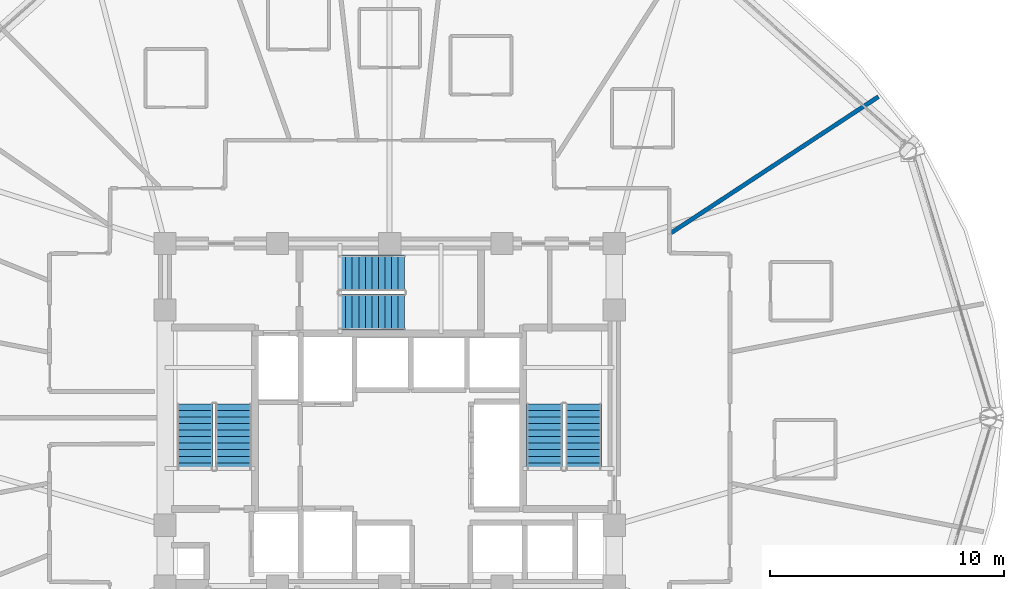
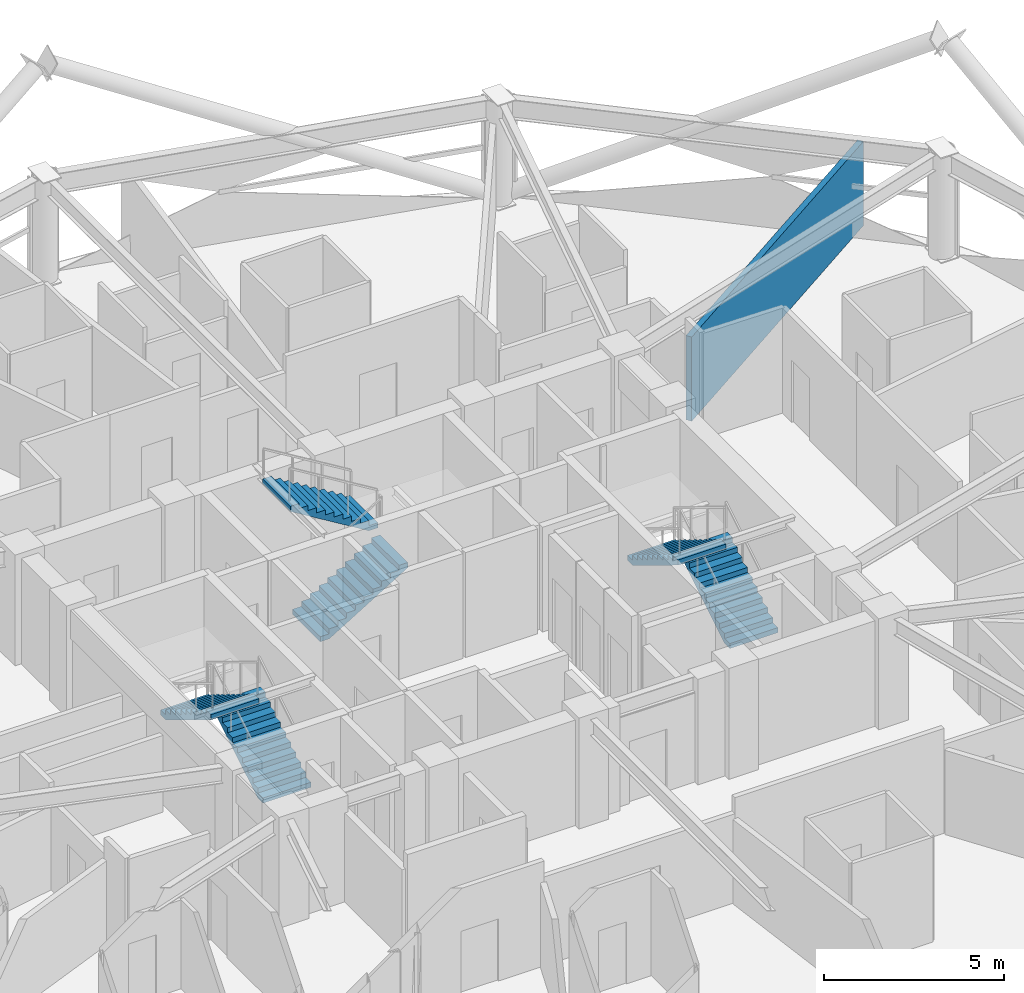
# One storey, part 28 of 32: 6 stair flights, 1 wall, 3 elements without a shape of their own.
"""IFC4 building model written with IfcOpenShell, lengths in metres."""

from ifc_helpers import new_model, si_unit, direction, frame, frame_2d, origin, place, context, subcontext, project, spatial, polyline, rectangle, outline, extrude, material, layer, layer_set, type_object, element, aggregate, save


model = new_model("IFC4")

# Units and contexts
model_context = context("Model", 3, precision=1e-05, world=origin(), true_north=direction((0.0, 1.0)))
body_context = subcontext(model_context, "Body", "Model", "MODEL_VIEW")
ifc_project = project(units=[si_unit("LENGTHUNIT", "METRE"), si_unit("AREAUNIT", "SQUARE_METRE"), si_unit("VOLUMEUNIT", "CUBIC_METRE"), si_unit("PLANEANGLEUNIT", "RADIAN"), si_unit("MASSUNIT", "GRAM", prefix="KILO")], contexts=[model_context])

# Site, building, storey
site_placement = place(None, origin())
site = spatial("IfcSite", under=ifc_project, at=site_placement, CompositionType="ELEMENT")
building_placement = place(site_placement, origin())
building = spatial("IfcBuilding", under=site, at=building_placement, Name="Vantalir Tower", CompositionType="ELEMENT")
storey_placement = place(building_placement, frame((0.0, 0.0, 104.699951171875)))
storey = spatial("IfcBuildingStorey", under=building, at=storey_placement, Name="L25", CompositionType="ELEMENT", Elevation=104.699951171875)

# Wall
ifc_material_1 = material(Name="Twin-stud acoustic fire-rated gypsum partition", Category="gypsum")
ifc_layer = layer(ifc_material_1, 0.179931640625)
ifc_layer_set = layer_set([ifc_layer], Name="Twin-stud acoustic fire-rated gypsum partition")
wall_type = type_object("IfcWallType", Name="WL-GUEST-180", PredefinedType="PARTITIONING", material=ifc_layer_set)
wall_placement = place(storey_placement, frame((43.5400390625, 32.906982421875, 0.0), z_axis=(0.0, 0.0, 1.0), x_axis=(0.835841105824, 0.548971443533, 0.0)))
element("IfcWall", 1, at=wall_placement, inside=storey, type_object=wall_type, Name="L25 Radial Suite Partition 02", PredefinedType="PARTITIONING", context=body_context, shape_type="SweptSolid", body=[
    extrude(rectangle(XDim=10.596435546875, YDim=0.179931640625, at=frame_2d((5.29833984375, 0.0))), origin(), (0.0, 0.0, 1.0), 2.85107421875),
])

# Stair, stair flights
ifc_material_2 = material(Name="Concrete C40/50", Category="concrete")
stair_type = type_object("IfcStairType", Name="STR-CORE-1450", PredefinedType="HALF_TURN_STAIR", material=ifc_material_2)
stair_1_placement = place(storey_placement, origin())
stair_1 = element("IfcStair", 2, at=stair_1_placement, inside=storey, type_object=stair_type, Name="L25 Core Exit Stair 1", PredefinedType="HALF_TURN_STAIR")
stair_flight_type = type_object("IfcStairFlightType", Name="FLT-CORE-1450", PredefinedType="STRAIGHT", material=ifc_material_2)
stair_flight_1_placement = place(storey_placement, frame((24.830078125, 22.7900390625, 0.0), z_axis=(0.0, 0.0, 1.0), x_axis=(0.0, 1.0, 0.0)))
stair_flight_1 = element("IfcStairFlight", 3, at=stair_flight_1_placement, type_object=stair_flight_type, Name="ST1 flight 1", NumberOfRisers=11, NumberOfTreads=10, PredefinedType="STRAIGHT", RiserHeight=0.170454545, TreadLength=0.28, context=body_context, shape_type="SweptSolid", body=[
    extrude(outline(polyline([(0.0, 0.0), (0.0, 0.17041015625), (0.280029296875, 0.17041015625), (0.280029296875, 0.3408203125), (0.56005859375, 0.3408203125), (0.56005859375, 0.511474609375), (0.840087890625, 0.511474609375), (0.840087890625, 0.681884765625), (1.1201171875, 0.681884765625), (1.1201171875, 0.852294921875), (1.39990234375, 0.852294921875), (1.39990234375, 1.022705078125), (1.679931640625, 1.022705078125), (1.679931640625, 1.193115234375), (1.9599609375, 1.193115234375), (1.9599609375, 1.363525390625), (2.239990234375, 1.363525390625), (2.239990234375, 1.5341796875), (2.52001953125, 1.5341796875), (2.52001953125, 1.70458984375), (2.800048828125, 1.70458984375), (2.800048828125, 1.875), (2.800048828125, 1.529052734375), (0.288330078125, 0.0), (0.0, 0.0)])), frame((0.0, 0.77001953125, 0.0), z_axis=(0.0, -1.0, 0.0), x_axis=(1.0, 0.0, 0.0)), (0.0, 0.0, 1.0), 1.5400390625),
])
stair_flight_2_placement = place(storey_placement, frame((23.169921875, 25.590087890625, 1.875), z_axis=(0.0, 0.0, 1.0), x_axis=(0.0, -1.0, 0.0)))
stair_flight_2 = element("IfcStairFlight", 4, at=stair_flight_2_placement, type_object=stair_flight_type, Name="ST1 flight 2", NumberOfRisers=11, NumberOfTreads=10, PredefinedType="STRAIGHT", RiserHeight=0.170454545, TreadLength=0.28, context=body_context, shape_type="SweptSolid", body=[
    extrude(outline(polyline([(0.0, 0.0), (0.0, 0.17041015625), (0.280029296875, 0.17041015625), (0.280029296875, 0.3408203125), (0.56005859375, 0.3408203125), (0.56005859375, 0.511474609375), (0.840087890625, 0.511474609375), (0.840087890625, 0.681884765625), (1.1201171875, 0.681884765625), (1.1201171875, 0.852294921875), (1.39990234375, 0.852294921875), (1.39990234375, 1.022705078125), (1.679931640625, 1.022705078125), (1.679931640625, 1.193115234375), (1.9599609375, 1.193115234375), (1.9599609375, 1.363525390625), (2.239990234375, 1.363525390625), (2.239990234375, 1.5341796875), (2.52001953125, 1.5341796875), (2.52001953125, 1.70458984375), (2.800048828125, 1.70458984375), (2.800048828125, 1.875), (2.800048828125, 1.529052734375), (0.288330078125, 0.0), (0.0, 0.0)])), frame((0.0, 0.77001953125, 0.0), z_axis=(0.0, -1.0, 0.0), x_axis=(1.0, 0.0, 0.0)), (0.0, 0.0, 1.0), 1.5400390625),
])
aggregate(stair_1, [stair_flight_1, stair_flight_2])

stair_2_placement = place(storey_placement, origin())
stair_2 = element("IfcStair", 5, at=stair_2_placement, inside=storey, type_object=stair_type, Name="L25 Core Exit Stair 2", PredefinedType="HALF_TURN_STAIR")
stair_flight_3_placement = place(storey_placement, frame((39.780029296875, 22.7900390625, 0.0), z_axis=(0.0, 0.0, 1.0), x_axis=(0.0, 1.0, 0.0)))
stair_flight_3 = element("IfcStairFlight", 6, at=stair_flight_3_placement, type_object=stair_flight_type, Name="ST2 flight 1", NumberOfRisers=11, NumberOfTreads=10, PredefinedType="STRAIGHT", RiserHeight=0.170454545, TreadLength=0.28, context=body_context, shape_type="SweptSolid", body=[
    extrude(outline(polyline([(0.0, 0.0), (0.0, 0.17041015625), (0.280029296875, 0.17041015625), (0.280029296875, 0.3408203125), (0.56005859375, 0.3408203125), (0.56005859375, 0.511474609375), (0.840087890625, 0.511474609375), (0.840087890625, 0.681884765625), (1.1201171875, 0.681884765625), (1.1201171875, 0.852294921875), (1.39990234375, 0.852294921875), (1.39990234375, 1.022705078125), (1.679931640625, 1.022705078125), (1.679931640625, 1.193115234375), (1.9599609375, 1.193115234375), (1.9599609375, 1.363525390625), (2.239990234375, 1.363525390625), (2.239990234375, 1.5341796875), (2.52001953125, 1.5341796875), (2.52001953125, 1.70458984375), (2.800048828125, 1.70458984375), (2.800048828125, 1.875), (2.800048828125, 1.529052734375), (0.288330078125, 0.0), (0.0, 0.0)])), frame((0.0, 0.77001953125, 0.0), z_axis=(0.0, -1.0, 0.0), x_axis=(1.0, 0.0, 0.0)), (0.0, 0.0, 1.0), 1.5400390625),
])
stair_flight_4_placement = place(storey_placement, frame((38.1201171875, 25.590087890625, 1.875), z_axis=(0.0, 0.0, 1.0), x_axis=(0.0, -1.0, 0.0)))
stair_flight_4 = element("IfcStairFlight", 7, at=stair_flight_4_placement, type_object=stair_flight_type, Name="ST2 flight 2", NumberOfRisers=11, NumberOfTreads=10, PredefinedType="STRAIGHT", RiserHeight=0.170454545, TreadLength=0.28, context=body_context, shape_type="SweptSolid", body=[
    extrude(outline(polyline([(0.0, 0.0), (0.0, 0.17041015625), (0.280029296875, 0.17041015625), (0.280029296875, 0.3408203125), (0.56005859375, 0.3408203125), (0.56005859375, 0.511474609375), (0.840087890625, 0.511474609375), (0.840087890625, 0.681884765625), (1.1201171875, 0.681884765625), (1.1201171875, 0.852294921875), (1.39990234375, 0.852294921875), (1.39990234375, 1.022705078125), (1.679931640625, 1.022705078125), (1.679931640625, 1.193115234375), (1.9599609375, 1.193115234375), (1.9599609375, 1.363525390625), (2.239990234375, 1.363525390625), (2.239990234375, 1.5341796875), (2.52001953125, 1.5341796875), (2.52001953125, 1.70458984375), (2.800048828125, 1.70458984375), (2.800048828125, 1.875), (2.800048828125, 1.529052734375), (0.288330078125, 0.0), (0.0, 0.0)])), frame((0.0, 0.77001953125, 0.0), z_axis=(0.0, -1.0, 0.0), x_axis=(1.0, 0.0, 0.0)), (0.0, 0.0, 1.0), 1.5400390625),
])
aggregate(stair_2, [stair_flight_3, stair_flight_4])

stair_3_placement = place(storey_placement, origin())
stair_3 = element("IfcStair", 8, at=stair_3_placement, inside=storey, type_object=stair_type, Name="L25 Core Exit Stair 3", PredefinedType="HALF_TURN_STAIR")
stair_flight_5_placement = place(storey_placement, frame((29.340087890625, 29.52001953125, 0.0), z_axis=(0.0, 0.0, 1.0), x_axis=(1.0, 0.0, 0.0)))
stair_flight_5 = element("IfcStairFlight", 9, at=stair_flight_5_placement, type_object=stair_flight_type, Name="ST3 flight 1", NumberOfRisers=11, NumberOfTreads=10, PredefinedType="STRAIGHT", RiserHeight=0.170454545, TreadLength=0.28, context=body_context, shape_type="SweptSolid", body=[
    extrude(outline(polyline([(0.0, 0.0), (0.0, 0.17041015625), (0.280029296875, 0.17041015625), (0.280029296875, 0.3408203125), (0.56005859375, 0.3408203125), (0.56005859375, 0.511474609375), (0.840087890625, 0.511474609375), (0.840087890625, 0.681884765625), (1.1201171875, 0.681884765625), (1.1201171875, 0.852294921875), (1.39990234375, 0.852294921875), (1.39990234375, 1.022705078125), (1.679931640625, 1.022705078125), (1.679931640625, 1.193115234375), (1.9599609375, 1.193115234375), (1.9599609375, 1.363525390625), (2.239990234375, 1.363525390625), (2.239990234375, 1.5341796875), (2.52001953125, 1.5341796875), (2.52001953125, 1.70458984375), (2.800048828125, 1.70458984375), (2.800048828125, 1.875), (2.800048828125, 1.529052734375), (0.288330078125, 0.0), (0.0, 0.0)])), frame((0.0, 0.77001953125, 0.0), z_axis=(0.0, -1.0, 0.0), x_axis=(1.0, 0.0, 0.0)), (0.0, 0.0, 1.0), 1.5400390625),
])
stair_flight_6_placement = place(storey_placement, frame((32.139892578125, 31.179931640625, 1.875), z_axis=(0.0, 0.0, 1.0), x_axis=(-1.0, 0.0, 0.0)))
stair_flight_6 = element("IfcStairFlight", 10, at=stair_flight_6_placement, type_object=stair_flight_type, Name="ST3 flight 2", NumberOfRisers=11, NumberOfTreads=10, PredefinedType="STRAIGHT", RiserHeight=0.170454545, TreadLength=0.28, context=body_context, shape_type="SweptSolid", body=[
    extrude(outline(polyline([(0.0, 0.0), (0.0, 0.17041015625), (0.280029296875, 0.17041015625), (0.280029296875, 0.3408203125), (0.56005859375, 0.3408203125), (0.56005859375, 0.511474609375), (0.840087890625, 0.511474609375), (0.840087890625, 0.681884765625), (1.1201171875, 0.681884765625), (1.1201171875, 0.852294921875), (1.39990234375, 0.852294921875), (1.39990234375, 1.022705078125), (1.679931640625, 1.022705078125), (1.679931640625, 1.193115234375), (1.9599609375, 1.193115234375), (1.9599609375, 1.363525390625), (2.239990234375, 1.363525390625), (2.239990234375, 1.5341796875), (2.52001953125, 1.5341796875), (2.52001953125, 1.70458984375), (2.800048828125, 1.70458984375), (2.800048828125, 1.875), (2.800048828125, 1.529052734375), (0.288330078125, 0.0), (0.0, 0.0)])), frame((0.0, 0.77001953125, 0.0), z_axis=(0.0, -1.0, 0.0), x_axis=(1.0, 0.0, 0.0)), (0.0, 0.0, 1.0), 1.5400390625),
])
aggregate(stair_3, [stair_flight_5, stair_flight_6])

save(model, "model.ifc")
